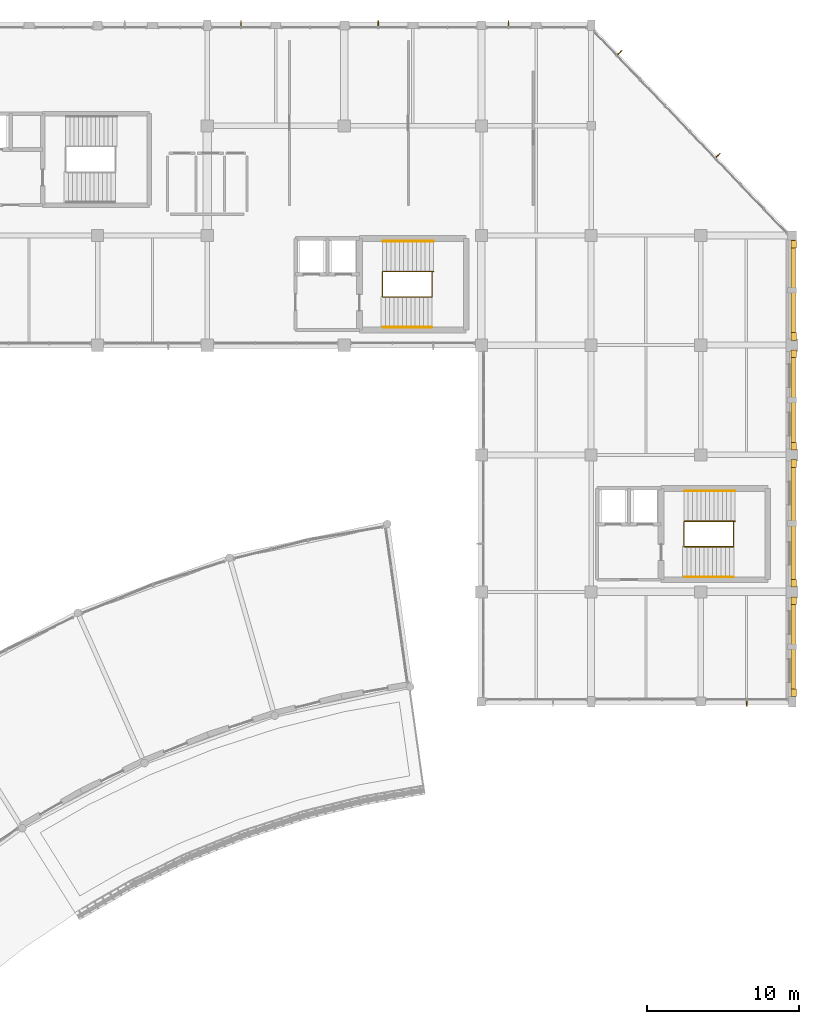
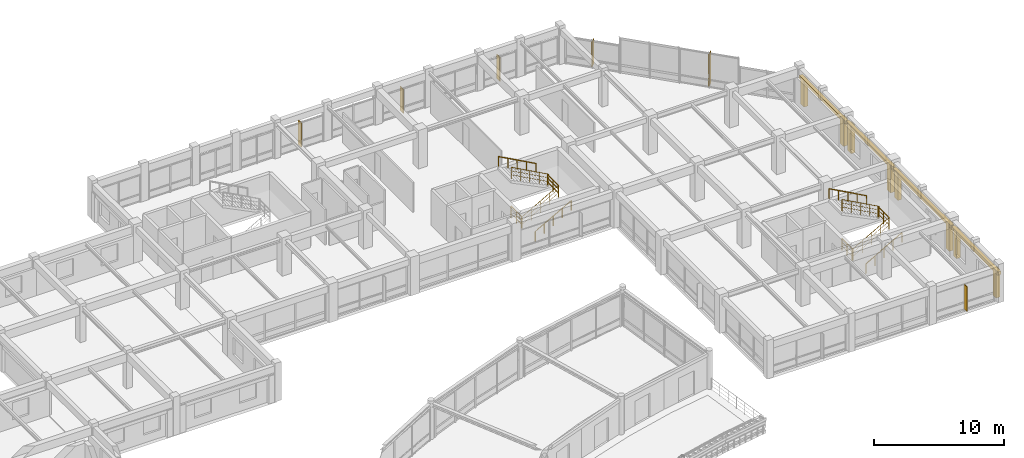
# One storey, part 74 of 74: 12 coverings, 12 railings, 6 shading devices.
"""IFC4 building model written with IfcOpenShell, lengths in metres."""

import ifcopenshell
import ifcopenshell.guid

model = None  # the IFC model being written
_history = None  # IfcOwnerHistory: only IFC2X3 demands one
_inside = {}  # id of a spatial element -> (the spatial element, [elements in it])
_under = {}  # id of a project, library or spatial element -> (it, [spatial elements below it])
_declared = {}  # id of a project -> (the project, [libraries it declares])
_typed = {}  # id of a type object -> (the type object, [elements of that type])
_made_of = {}  # id of a material, layer set ... -> (it, [elements and type objects made of it])


def new_model(schema):
    """Start an empty IFC model of exactly this schema.

    Asked for "IFC4X3", IfcOpenShell would pick the latest addendum, in which some entities
    have other attributes; the version numbers below select the first issue.
    IFC2X3 requires an IfcOwnerHistory on every rooted entity: one is made here for all.
    """
    global model, _history
    if schema == "IFC4X3":
        model = ifcopenshell.file(schema_version=(4, 3, 0, 0))
    else:
        model = ifcopenshell.file(schema=schema)
    _inside.clear()
    _under.clear()
    _declared.clear()
    _typed.clear()
    _made_of.clear()
    _history = None
    if model.schema == "IFC2X3":
        org = make("IfcOrganization", Name="unknown")
        user = make(
            "IfcPersonAndOrganization",
            ThePerson=make("IfcPerson", FamilyName="unknown"),
            TheOrganization=org,
        )
        app = make(
            "IfcApplication",
            ApplicationDeveloper=org,
            Version="unknown",
            ApplicationFullName="unknown",
            ApplicationIdentifier="unknown",
        )
        _history = make(
            "IfcOwnerHistory",
            OwningUser=user,
            OwningApplication=app,
            ChangeAction="ADDED",
            CreationDate=0,
        )
    return model


def make(cls, **values):
    """One entity of the class cls with the attributes given. An attribute that is None is left unset."""
    return model.create_entity(
        cls, **{name: value for name, value in values.items() if value is not None}
    )


def rooted(cls, **values):
    """An entity with a GlobalId (a new one), such as an element, a storey or a relation."""
    return make(cls, GlobalId=ifcopenshell.guid.new(), OwnerHistory=_history, **values)


def si_unit(unit_type, name, prefix=None):
    """IfcSIUnit, for example si_unit("LENGTHUNIT", "METRE", prefix="MILLI")."""
    return make("IfcSIUnit", UnitType=unit_type, Prefix=prefix, Name=name)


def assignment(units):
    """IfcUnitAssignment: the units of a project."""
    return None if units is None else make("IfcUnitAssignment", Units=units)


def point(xyz):
    """IfcCartesianPoint."""
    return None if xyz is None else make("IfcCartesianPoint", Coordinates=xyz)


def direction(xyz):
    """IfcDirection."""
    return None if xyz is None else make("IfcDirection", DirectionRatios=xyz)


def frame(location, z_axis=None, x_axis=None):
    """IfcAxis2Placement3D, a coordinate frame: its origin and axes. An axis left out is left unset."""
    return make(
        "IfcAxis2Placement3D",
        Location=point(location),
        Axis=direction(z_axis),
        RefDirection=direction(x_axis),
    )


def frame_2d(location, x_axis=None):
    """IfcAxis2Placement2D, a coordinate frame in the plane: its origin and x axis."""
    return make(
        "IfcAxis2Placement2D", Location=point(location), RefDirection=direction(x_axis)
    )


def origin():
    """The frame at (0, 0, 0) with its axes left unset."""
    return frame((0.0, 0.0, 0.0))


def origin_2d():
    """The frame at (0, 0) in the plane with its x axis left unset."""
    return frame_2d((0.0, 0.0))


def place(relative_to, where):
    """IfcLocalPlacement: puts the frame where relative to a parent placement (None: the world)."""
    return make(
        "IfcLocalPlacement", PlacementRelTo=relative_to, RelativePlacement=where
    )


def context(
    kind, dimensions, precision=None, world=None, true_north=None, identifier=None
):
    """IfcGeometricRepresentationContext, for example the 3D "Model" context."""
    return make(
        "IfcGeometricRepresentationContext",
        ContextIdentifier=identifier,
        ContextType=kind,
        CoordinateSpaceDimension=dimensions,
        Precision=precision,
        WorldCoordinateSystem=world,
        TrueNorth=true_north,
    )


def subcontext(parent, identifier, kind, view, scale=None):
    """IfcGeometricRepresentationSubContext, for example "Body" below "Model"."""
    return make(
        "IfcGeometricRepresentationSubContext",
        ContextIdentifier=identifier,
        ContextType=kind,
        ParentContext=parent,
        TargetScale=scale,
        TargetView=view,
    )


def project(units=None, contexts=None):
    """IfcProject with its units and contexts."""
    return rooted(
        "IfcProject",
        Name="project",
        RepresentationContexts=contexts,
        UnitsInContext=assignment(units),
    )


def spatial(cls, under=None, at=None, **own):
    """A site, building, storey or space (cls), placed at a placement, below another one or the project."""
    s = rooted(cls, ObjectPlacement=at, **own)
    if under is not None:
        _under.setdefault(under.id(), (under, []))[1].append(s)
    return s


def profile(cls, at=None, kind="AREA", **sizes):
    """A parametric profile (cls). Its sizes go by their IFC names, for example OverallWidth=200.0."""
    return make(cls, ProfileType=kind, Position=at, **sizes)


def rectangle(**sizes):
    """IfcRectangleProfileDef."""
    return profile("IfcRectangleProfileDef", **sizes)


def circle(**sizes):
    """IfcCircleProfileDef."""
    return profile("IfcCircleProfileDef", **sizes)


def extrude(swept, where, along, depth):
    """IfcExtrudedAreaSolid: the profile swept, set in the frame where, extruded along a direction by depth."""
    return make(
        "IfcExtrudedAreaSolid",
        SweptArea=swept,
        Position=where,
        ExtrudedDirection=direction(along),
        Depth=depth,
    )


def shape(context_of_items, identifier, shape_type, items):
    """IfcShapeRepresentation: the items that make up one representation, for example the "Body"."""
    return make(
        "IfcShapeRepresentation",
        ContextOfItems=context_of_items,
        RepresentationIdentifier=identifier,
        RepresentationType=shape_type,
        Items=items,
    )


def material(Name=None, Category=None):
    """IfcMaterial."""
    return make("IfcMaterial", Name=Name, Category=Category)


def layer(
    of_material, thickness, ventilated=None, Name=None, Category=None, Priority=None
):
    """IfcMaterialLayer: one layer of a wall or slab, of a material (None: an air gap)."""
    return make(
        "IfcMaterialLayer",
        Material=of_material,
        LayerThickness=thickness,
        IsVentilated=ventilated,
        Name=Name,
        Category=Category,
        Priority=Priority,
    )


def layer_set(layers, Name=None):
    """IfcMaterialLayerSet."""
    return make("IfcMaterialLayerSet", MaterialLayers=layers, LayerSetName=Name)


def made_of(thing, what):
    """Note that an element or type object is made of a material, layer set ...; save() writes the relation."""
    if what is not None:
        _made_of.setdefault(what.id(), (what, []))[1].append(thing)
    return thing


def type_object(cls, material=None, **own):
    """A type object (cls), such as IfcWallType, which elements share."""
    return made_of(rooted(cls, **own), material)


def element(
    cls,
    number,
    at=None,
    inside=None,
    cuts=None,
    type_object=None,
    material=None,
    context=None,
    identifier="Body",
    shape_type=None,
    held_by="IfcProductDefinitionShape",
    body=None,
    shapes=None,
    **own,
):
    """One element of the class cls, such as IfcWall. Its Tag is "e" and its number.

    at: its placement. inside: the storey or other place that contains it. cuts: it is an
    opening in that element (IfcRelVoidsElement). A single representation is given by context,
    identifier, shape_type and body (its items); several are given by shapes. held_by: the class
    of the entity that holds the representations. save() writes the other relations.
    """
    e = rooted(cls, Tag="e%d" % number, ObjectPlacement=at, **own)
    if body is not None:
        shapes = [shape(context, identifier, shape_type, body)]
    if shapes is not None:
        e.Representation = make(held_by, Representations=shapes)
    if inside is not None:
        _inside.setdefault(inside.id(), (inside, []))[1].append(e)
    if cuts is not None:
        rooted(
            "IfcRelVoidsElement", RelatingBuildingElement=cuts, RelatedOpeningElement=e
        )
    if type_object is not None:
        _typed.setdefault(type_object.id(), (type_object, []))[1].append(e)
    return made_of(e, material)


def aggregate(whole, parts):
    """IfcRelAggregates: a whole, such as a stair, and the parts it consists of."""
    return rooted("IfcRelAggregates", RelatingObject=whole, RelatedObjects=parts)


def save(model, path):
    """Write the relations noted so far, then the file.

    IfcRelAggregates (storeys below a building ...), IfcRelContainedInSpatialStructure (elements
    in a storey), IfcRelDefinesByType, IfcRelAssociatesMaterial and IfcRelDeclares: one each for
    every whole, place, type object, material and project.
    """
    for whole, parts in _under.values():
        aggregate(whole, parts)
    for where, things in _inside.values():
        rooted(
            "IfcRelContainedInSpatialStructure",
            RelatedElements=things,
            RelatingStructure=where,
        )
    for kind, things in _typed.values():
        rooted("IfcRelDefinesByType", RelatedObjects=things, RelatingType=kind)
    for what, things in _made_of.values():
        rooted("IfcRelAssociatesMaterial", RelatedObjects=things, RelatingMaterial=what)
    for by, libraries in _declared.values():
        rooted("IfcRelDeclares", RelatingContext=by, RelatedDefinitions=libraries)
    model.write(path)


model = new_model("IFC4")

# Units and contexts
model_context = context("Model", 3, precision=1e-05, world=origin(), true_north=direction((0.0, 1.0)))
body_context = subcontext(model_context, "Body", "Model", "MODEL_VIEW")
ifc_project = project(units=[si_unit("LENGTHUNIT", "METRE"), si_unit("AREAUNIT", "SQUARE_METRE"), si_unit("VOLUMEUNIT", "CUBIC_METRE"), si_unit("PLANEANGLEUNIT", "RADIAN"), si_unit("MASSUNIT", "GRAM", prefix="KILO")], contexts=[model_context])

# Site, building, storey
site_placement = place(None, origin())
site = spatial("IfcSite", under=ifc_project, at=site_placement, CompositionType="ELEMENT")
building_placement = place(site_placement, origin())
building = spatial("IfcBuilding", under=site, at=building_placement, Name="Clarverna Civic Hall", CompositionType="ELEMENT")
storey_placement = place(building_placement, frame((0.0, 0.0, 9.60009765625)))
storey = spatial("IfcBuildingStorey", under=building, at=storey_placement, Name="L02", CompositionType="ELEMENT", Elevation=9.60009765625)

# Coverings
ifc_material_1 = material(Name="Montjuic Buff Limestone Ashlar Cladding", Category="masonry")
ifc_layer_1 = layer(ifc_material_1, 0.070068359375)
ifc_layer_set_1 = layer_set([ifc_layer_1], Name="Montjuic Buff Limestone Ashlar Cladding")
covering_type = type_object("IfcCoveringType", Name="CV-CL2", PredefinedType="CLADDING", material=ifc_layer_set_1)
covering_1_placement = place(storey_placement, frame((168.080078125, 102.139892578125, 2.239990234375), z_axis=(0.0, 0.0, 1.0), x_axis=(0.0, -1.0, 0.0)))
element("IfcCovering", 1, at=covering_1_placement, inside=storey, type_object=covering_type, Name="CV-CL2-458", PredefinedType="CLADDING", context=body_context, shape_type="SweptSolid", body=[
    extrude(rectangle(XDim=7.079833984375, YDim=0.280029296875, at=frame_2d((3.5400390625, 0.0))), origin(), (0.0, 0.0, 1.0), 0.2998046875),
])
for number, where, z_axis, x_axis, name in (
    (2, (168.110107421875, 101.8798828125, 0.0), (0.0, 0.0, 1.0), (0.0, -1.0, 0.0), "CV-CL2-459"),
    (3, (168.110107421875, 95.820068359375, 0.0), (0.0, 0.0, 1.0), (0.0, -1.0, 0.0), "CV-CL2-460"),
):
    element("IfcCovering", number, at=place(storey_placement, frame(where, z_axis=z_axis, x_axis=x_axis)), inside=storey, type_object=covering_type, Name=name, PredefinedType="CLADDING", context=body_context, shape_type="SweptSolid", body=[
        extrude(rectangle(XDim=0.5, YDim=0.340087890625, at=frame_2d((0.25, 0.0))), origin(), (0.0, 0.0, 1.0), 2.52001953125),
    ])
covering_2_placement = place(storey_placement, frame((168.080078125, 94.93994140625, 2.33984375), z_axis=(0.0, 0.0, 1.0), x_axis=(0.0, -1.0, 0.0)))
element("IfcCovering", 4, at=covering_2_placement, inside=storey, type_object=covering_type, Name="CV-CL2-461", PredefinedType="CLADDING", context=body_context, shape_type="SweptSolid", body=[
    extrude(rectangle(XDim=7.079833984375, YDim=0.280029296875, at=frame_2d((3.5400390625, 0.0))), origin(), (0.0, 0.0, 1.0), 0.300048828125),
])
for number, where, z_axis, x_axis, name in (
    (5, (168.110107421875, 94.679931640625, 0.0), (0.0, 0.0, 1.0), (0.0, -1.0, 0.0), "CV-CL2-462"),
    (6, (168.110107421875, 88.6201171875, 0.0), (0.0, 0.0, 1.0), (0.0, -1.0, 0.0), "CV-CL2-463"),
):
    element("IfcCovering", number, at=place(storey_placement, frame(where, z_axis=z_axis, x_axis=x_axis)), inside=storey, type_object=covering_type, Name=name, PredefinedType="CLADDING", context=body_context, shape_type="SweptSolid", body=[
        extrude(rectangle(XDim=0.5, YDim=0.340087890625, at=frame_2d((0.25, 0.0))), origin(), (0.0, 0.0, 1.0), 2.619873046875),
    ])
covering_3_placement = place(storey_placement, frame((168.080078125, 87.739990234375, 2.289794921875), z_axis=(0.0, 0.0, 1.0), x_axis=(0.0, -1.0, 0.0)))
element("IfcCovering", 7, at=covering_3_placement, inside=storey, type_object=covering_type, Name="CV-CL2-464", PredefinedType="CLADDING", context=body_context, shape_type="SweptSolid", body=[
    extrude(rectangle(XDim=8.8798828125, YDim=0.280029296875, at=frame_2d((4.43994140625, 0.0))), origin(), (0.0, 0.0, 1.0), 0.300048828125),
])
for number, where, z_axis, x_axis, name in (
    (8, (168.110107421875, 87.47998046875, 0.0), (0.0, 0.0, 1.0), (0.0, -1.0, 0.0), "CV-CL2-465"),
    (9, (168.110107421875, 79.6201171875, 0.0), (0.0, 0.0, 1.0), (0.0, -1.0, 0.0), "CV-CL2-466"),
):
    element("IfcCovering", number, at=place(storey_placement, frame(where, z_axis=z_axis, x_axis=x_axis)), inside=storey, type_object=covering_type, Name=name, PredefinedType="CLADDING", context=body_context, shape_type="SweptSolid", body=[
        extrude(rectangle(XDim=0.5, YDim=0.340087890625, at=frame_2d((0.25, 0.0))), origin(), (0.0, 0.0, 1.0), 2.56982421875),
    ])
covering_4_placement = place(storey_placement, frame((168.080078125, 78.739990234375, 2.289794921875), z_axis=(0.0, 0.0, 1.0), x_axis=(0.0, -1.0, 0.0)))
element("IfcCovering", 10, at=covering_4_placement, inside=storey, type_object=covering_type, Name="CV-CL2-467", PredefinedType="CLADDING", context=body_context, shape_type="SweptSolid", body=[
    extrude(rectangle(XDim=7.080078125, YDim=0.280029296875, at=frame_2d((3.5400390625, 0.0))), origin(), (0.0, 0.0, 1.0), 0.300048828125),
])
for number, where, z_axis, x_axis, name in (
    (11, (168.110107421875, 78.47998046875, 0.0), (0.0, 0.0, 1.0), (0.0, -1.0, 0.0), "CV-CL2-468"),
    (12, (168.110107421875, 72.419921875, 0.0), (0.0, 0.0, 1.0), (0.0, -1.0, 0.0), "CV-CL2-469"),
):
    element("IfcCovering", number, at=place(storey_placement, frame(where, z_axis=z_axis, x_axis=x_axis)), inside=storey, type_object=covering_type, Name=name, PredefinedType="CLADDING", context=body_context, shape_type="SweptSolid", body=[
        extrude(rectangle(XDim=0.5, YDim=0.340087890625, at=frame_2d((0.25, 0.0))), origin(), (0.0, 0.0, 1.0), 2.56982421875),
    ])

# Railings
ifc_material_2 = material(Name="Anodised Bronze Architectural Balustrade")
railing_type_1 = type_object("IfcRailingType", Name="GR-02", PredefinedType="BALUSTRADE", material=ifc_material_2)
railing_1_placement = place(storey_placement, frame((141.14990234375, 98.159912109375, 0.0)))
element("IfcRailing", 13, at=railing_1_placement, inside=storey, type_object=railing_type_1, Name="GR-02-015", PredefinedType="BALUSTRADE", context=body_context, shape_type="SweptSolid", body=[
    extrude(circle(Radius=0.02392578125, at=origin_2d()), frame((0.0, 0.0, 1.09619140625), z_axis=(0.87193006163, 0.0, 0.489630439849), x_axis=(0.0, 1.0, 0.0)), (0.0, 0.0, 1.0), 3.67578125),
    extrude(circle(Radius=0.011962890625, at=origin_2d()), frame((0.0, 0.0, 0.39208984375), z_axis=(0.87193006163, 0.0, 0.489630439849), x_axis=(0.0, 1.0, 0.0)), (0.0, 0.0, 1.0), 3.67578125),
    extrude(circle(Radius=0.011962890625, at=origin_2d()), frame((0.0, 0.0, 0.76171875), z_axis=(0.87193006163, 0.0, 0.489630439849), x_axis=(0.0, 1.0, 0.0)), (0.0, 0.0, 1.0), 3.67578125),
    extrude(circle(Radius=0.02099609375, at=origin_2d()), origin(), (0.0, 0.0, 1.0), 1.072021484375),
    extrude(circle(Radius=0.02099609375, at=origin_2d()), frame((0.80126953125, 0.0, 0.449951171875)), (0.0, 0.0, 1.0), 1.072021484375),
    extrude(circle(Radius=0.02099609375, at=origin_2d()), frame((1.6025390625, 0.0, 0.89990234375)), (0.0, 0.0, 1.0), 1.072021484375),
    extrude(circle(Radius=0.02099609375, at=origin_2d()), frame((2.40380859375, 0.0, 1.349853515625)), (0.0, 0.0, 1.0), 1.072021484375),
    extrude(circle(Radius=0.02099609375, at=origin_2d()), frame((3.205078125, 0.0, 1.7998046875)), (0.0, 0.0, 1.0), 1.072021484375),
])
railing_2_placement = place(storey_placement, frame((144.35498046875, 98.159912109375, 1.7998046875)))
element("IfcRailing", 14, at=railing_2_placement, inside=storey, type_object=railing_type_1, Name="GR-02-016", PredefinedType="BALUSTRADE", context=body_context, shape_type="SweptSolid", body=[
    extrude(circle(Radius=0.02392578125, at=origin_2d()), frame((0.0, 0.0, 1.09619140625), z_axis=(0.0, 1.0, 0.0), x_axis=(-1.0, 0.0, 0.0)), (0.0, 0.0, 1.0), 1.68017578125),
    extrude(circle(Radius=0.011962890625, at=origin_2d()), frame((0.0, 0.0, 0.39208984375), z_axis=(0.0, 1.0, 0.0), x_axis=(-1.0, 0.0, 0.0)), (0.0, 0.0, 1.0), 1.68017578125),
    extrude(circle(Radius=0.011962890625, at=origin_2d()), frame((0.0, 0.0, 0.76171875), z_axis=(0.0, 1.0, 0.0), x_axis=(-1.0, 0.0, 0.0)), (0.0, 0.0, 1.0), 1.68017578125),
    extrude(circle(Radius=0.02099609375, at=origin_2d()), origin(), (0.0, 0.0, 1.0), 1.072021484375),
    extrude(circle(Radius=0.02099609375, at=origin_2d()), frame((0.0, 0.840087890625, 0.0)), (0.0, 0.0, 1.0), 1.072021484375),
    extrude(circle(Radius=0.02099609375, at=origin_2d()), frame((0.0, 1.68017578125, 0.0)), (0.0, 0.0, 1.0), 1.072021484375),
])
railing_3_placement = place(storey_placement, frame((144.445068359375, 99.840087890625, 1.7998046875)))
element("IfcRailing", 15, at=railing_3_placement, inside=storey, type_object=railing_type_1, Name="GR-02-017", PredefinedType="BALUSTRADE", context=body_context, shape_type="SweptSolid", body=[
    extrude(circle(Radius=0.02392578125, at=origin_2d()), frame((0.0, 0.0, 1.09619140625), z_axis=(-0.877594727342, 0.0, 0.479403269222), x_axis=(0.0, -1.0, 0.0)), (0.0, 0.0, 1.0), 3.7548828125),
    extrude(circle(Radius=0.011962890625, at=origin_2d()), frame((0.0, 0.0, 0.39208984375), z_axis=(-0.877594727342, 0.0, 0.479403269222), x_axis=(0.0, -1.0, 0.0)), (0.0, 0.0, 1.0), 3.7548828125),
    extrude(circle(Radius=0.011962890625, at=origin_2d()), frame((0.0, 0.0, 0.76171875), z_axis=(-0.877594727342, 0.0, 0.479403269222), x_axis=(0.0, -1.0, 0.0)), (0.0, 0.0, 1.0), 3.7548828125),
    extrude(circle(Radius=0.02099609375, at=origin_2d()), origin(), (0.0, 0.0, 1.0), 1.072021484375),
    extrude(circle(Radius=0.02099609375, at=origin_2d()), frame((-0.82373046875, 0.0, 0.449951171875)), (0.0, 0.0, 1.0), 1.072021484375),
    extrude(circle(Radius=0.02099609375, at=origin_2d()), frame((-1.6474609375, 0.0, 0.89990234375)), (0.0, 0.0, 1.0), 1.072021484375),
    extrude(circle(Radius=0.02099609375, at=origin_2d()), frame((-2.471435546875, 0.0, 1.35009765625)), (0.0, 0.0, 1.0), 1.072021484375),
    extrude(circle(Radius=0.02099609375, at=origin_2d()), frame((-3.295166015625, 0.0, 1.800048828125)), (0.0, 0.0, 1.0), 1.072021484375),
])
railing_4_placement = place(storey_placement, frame((141.110107421875, 98.199951171875, 0.0)))
element("IfcRailing", 16, at=railing_4_placement, inside=storey, type_object=railing_type_1, Name="GR-02-018", PredefinedType="BALUSTRADE", context=body_context, shape_type="SweptSolid", body=[
    extrude(circle(Radius=0.02392578125, at=origin_2d()), frame((0.0, 0.0, 1.09619140625), z_axis=(0.0, 1.0, 0.0), x_axis=(-1.0, 0.0, 0.0)), (0.0, 0.0, 1.0), 1.60009765625),
    extrude(circle(Radius=0.011962890625, at=origin_2d()), frame((0.0, 0.0, 0.39208984375), z_axis=(0.0, 1.0, 0.0), x_axis=(-1.0, 0.0, 0.0)), (0.0, 0.0, 1.0), 1.60009765625),
    extrude(circle(Radius=0.011962890625, at=origin_2d()), frame((0.0, 0.0, 0.76171875), z_axis=(0.0, 1.0, 0.0), x_axis=(-1.0, 0.0, 0.0)), (0.0, 0.0, 1.0), 1.60009765625),
    extrude(circle(Radius=0.02099609375, at=origin_2d()), origin(), (0.0, 0.0, 1.0), 1.072021484375),
    extrude(circle(Radius=0.02099609375, at=origin_2d()), frame((0.0, 0.800048828125, 0.0)), (0.0, 0.0, 1.0), 1.072021484375),
    extrude(circle(Radius=0.02099609375, at=origin_2d()), frame((0.0, 1.60009765625, 0.0)), (0.0, 0.0, 1.0), 1.072021484375),
])
railing_5_placement = place(storey_placement, frame((160.949951171875, 81.760009765625, 0.0)))
element("IfcRailing", 17, at=railing_5_placement, inside=storey, type_object=railing_type_1, Name="GR-02-047", PredefinedType="BALUSTRADE", context=body_context, shape_type="SweptSolid", body=[
    extrude(circle(Radius=0.02392578125, at=origin_2d()), frame((0.0, 0.0, 1.09619140625), z_axis=(0.87193006163, 0.0, 0.489630439849), x_axis=(0.0, 1.0, 0.0)), (0.0, 0.0, 1.0), 3.67578125),
    extrude(circle(Radius=0.011962890625, at=origin_2d()), frame((0.0, 0.0, 0.39208984375), z_axis=(0.87193006163, 0.0, 0.489630439849), x_axis=(0.0, 1.0, 0.0)), (0.0, 0.0, 1.0), 3.67578125),
    extrude(circle(Radius=0.011962890625, at=origin_2d()), frame((0.0, 0.0, 0.76171875), z_axis=(0.87193006163, 0.0, 0.489630439849), x_axis=(0.0, 1.0, 0.0)), (0.0, 0.0, 1.0), 3.67578125),
    extrude(circle(Radius=0.02099609375, at=origin_2d()), origin(), (0.0, 0.0, 1.0), 1.072021484375),
    extrude(circle(Radius=0.02099609375, at=origin_2d()), frame((0.80126953125, 0.0, 0.449951171875)), (0.0, 0.0, 1.0), 1.072021484375),
    extrude(circle(Radius=0.02099609375, at=origin_2d()), frame((1.6025390625, 0.0, 0.89990234375)), (0.0, 0.0, 1.0), 1.072021484375),
    extrude(circle(Radius=0.02099609375, at=origin_2d()), frame((2.40380859375, 0.0, 1.349853515625)), (0.0, 0.0, 1.0), 1.072021484375),
    extrude(circle(Radius=0.02099609375, at=origin_2d()), frame((3.205078125, 0.0, 1.7998046875)), (0.0, 0.0, 1.0), 1.072021484375),
])
railing_6_placement = place(storey_placement, frame((164.155029296875, 81.760009765625, 1.7998046875)))
element("IfcRailing", 18, at=railing_6_placement, inside=storey, type_object=railing_type_1, Name="GR-02-048", PredefinedType="BALUSTRADE", context=body_context, shape_type="SweptSolid", body=[
    extrude(circle(Radius=0.02392578125, at=origin_2d()), frame((0.0, 0.0, 1.09619140625), z_axis=(0.0, 1.0, 0.0), x_axis=(-1.0, 0.0, 0.0)), (0.0, 0.0, 1.0), 1.679931640625),
    extrude(circle(Radius=0.011962890625, at=origin_2d()), frame((0.0, 0.0, 0.39208984375), z_axis=(0.0, 1.0, 0.0), x_axis=(-1.0, 0.0, 0.0)), (0.0, 0.0, 1.0), 1.679931640625),
    extrude(circle(Radius=0.011962890625, at=origin_2d()), frame((0.0, 0.0, 0.76171875), z_axis=(0.0, 1.0, 0.0), x_axis=(-1.0, 0.0, 0.0)), (0.0, 0.0, 1.0), 1.679931640625),
    extrude(circle(Radius=0.02099609375, at=origin_2d()), origin(), (0.0, 0.0, 1.0), 1.072021484375),
    extrude(circle(Radius=0.02099609375, at=origin_2d()), frame((0.0, 0.83984375, 0.0)), (0.0, 0.0, 1.0), 1.072021484375),
    extrude(circle(Radius=0.02099609375, at=origin_2d()), frame((0.0, 1.679931640625, 0.0)), (0.0, 0.0, 1.0), 1.072021484375),
])
railing_7_placement = place(storey_placement, frame((164.2451171875, 83.43994140625, 1.7998046875)))
element("IfcRailing", 19, at=railing_7_placement, inside=storey, type_object=railing_type_1, Name="GR-02-049", PredefinedType="BALUSTRADE", context=body_context, shape_type="SweptSolid", body=[
    extrude(circle(Radius=0.02392578125, at=origin_2d()), frame((0.0, 0.0, 1.09619140625), z_axis=(-0.877594727342, 0.0, 0.479403269222), x_axis=(0.0, -1.0, 0.0)), (0.0, 0.0, 1.0), 3.7548828125),
    extrude(circle(Radius=0.011962890625, at=origin_2d()), frame((0.0, 0.0, 0.39208984375), z_axis=(-0.877594727342, 0.0, 0.479403269222), x_axis=(0.0, -1.0, 0.0)), (0.0, 0.0, 1.0), 3.7548828125),
    extrude(circle(Radius=0.011962890625, at=origin_2d()), frame((0.0, 0.0, 0.76171875), z_axis=(-0.877594727342, 0.0, 0.479403269222), x_axis=(0.0, -1.0, 0.0)), (0.0, 0.0, 1.0), 3.7548828125),
    extrude(circle(Radius=0.02099609375, at=origin_2d()), origin(), (0.0, 0.0, 1.0), 1.072021484375),
    extrude(circle(Radius=0.02099609375, at=origin_2d()), frame((-0.82373046875, 0.0, 0.449951171875)), (0.0, 0.0, 1.0), 1.072021484375),
    extrude(circle(Radius=0.02099609375, at=origin_2d()), frame((-1.6474609375, 0.0, 0.89990234375)), (0.0, 0.0, 1.0), 1.072021484375),
    extrude(circle(Radius=0.02099609375, at=origin_2d()), frame((-2.471435546875, 0.0, 1.35009765625)), (0.0, 0.0, 1.0), 1.072021484375),
    extrude(circle(Radius=0.02099609375, at=origin_2d()), frame((-3.295166015625, 0.0, 1.800048828125)), (0.0, 0.0, 1.0), 1.072021484375),
])
railing_8_placement = place(storey_placement, frame((160.909912109375, 81.800048828125, 0.0)))
element("IfcRailing", 20, at=railing_8_placement, inside=storey, type_object=railing_type_1, Name="GR-02-050", PredefinedType="BALUSTRADE", context=body_context, shape_type="SweptSolid", body=[
    extrude(circle(Radius=0.02392578125, at=origin_2d()), frame((0.0, 0.0, 1.09619140625), z_axis=(0.0, 1.0, 0.0), x_axis=(-1.0, 0.0, 0.0)), (0.0, 0.0, 1.0), 1.599853515625),
    extrude(circle(Radius=0.011962890625, at=origin_2d()), frame((0.0, 0.0, 0.39208984375), z_axis=(0.0, 1.0, 0.0), x_axis=(-1.0, 0.0, 0.0)), (0.0, 0.0, 1.0), 1.599853515625),
    extrude(circle(Radius=0.011962890625, at=origin_2d()), frame((0.0, 0.0, 0.76171875), z_axis=(0.0, 1.0, 0.0), x_axis=(-1.0, 0.0, 0.0)), (0.0, 0.0, 1.0), 1.599853515625),
    extrude(circle(Radius=0.02099609375, at=origin_2d()), origin(), (0.0, 0.0, 1.0), 1.072021484375),
    extrude(circle(Radius=0.02099609375, at=origin_2d()), frame((0.0, 0.7998046875, 0.0)), (0.0, 0.0, 1.0), 1.072021484375),
    extrude(circle(Radius=0.02099609375, at=origin_2d()), frame((0.0, 1.599853515625, 0.0)), (0.0, 0.0, 1.0), 1.072021484375),
])
ifc_material_3 = material(Name="Anodised Bronze Continuous Handrail")
railing_type_2 = type_object("IfcRailingType", Name="HR-01", PredefinedType="HANDRAIL", material=ifc_material_3)
railing_9_placement = place(storey_placement, frame((141.14990234375, 96.179931640625, 0.0)))
element("IfcRailing", 21, at=railing_9_placement, inside=storey, type_object=railing_type_2, Name="HR-01-007", PredefinedType="HANDRAIL", context=body_context, shape_type="SweptSolid", body=[
    extrude(circle(Radius=0.02392578125, at=origin_2d()), frame((0.0, 0.0, 0.89599609375), z_axis=(0.870953600603, 0.0, 0.491365266982), x_axis=(0.0, 1.0, 0.0)), (0.0, 0.0, 1.0), 3.662841796875),
    extrude(circle(Radius=0.02099609375, at=origin_2d()), origin(), (0.0, 0.0, 1.0), 0.871826171875),
    extrude(circle(Radius=0.02099609375, at=origin_2d()), frame((0.797607421875, 0.0, 0.449951171875)), (0.0, 0.0, 1.0), 0.871826171875),
    extrude(circle(Radius=0.02099609375, at=origin_2d()), frame((1.59521484375, 0.0, 0.89990234375)), (0.0, 0.0, 1.0), 0.871826171875),
    extrude(circle(Radius=0.02099609375, at=origin_2d()), frame((2.392578125, 0.0, 1.349853515625)), (0.0, 0.0, 1.0), 0.871826171875),
    extrude(circle(Radius=0.02099609375, at=origin_2d()), frame((3.190185546875, 0.0, 1.7998046875)), (0.0, 0.0, 1.0), 0.871826171875),
])
railing_10_placement = place(storey_placement, frame((144.4599609375, 101.820068359375, 1.7998046875)))
element("IfcRailing", 22, at=railing_10_placement, inside=storey, type_object=railing_type_2, Name="HR-01-008", PredefinedType="HANDRAIL", context=body_context, shape_type="SweptSolid", body=[
    extrude(circle(Radius=0.02392578125, at=origin_2d()), frame((0.0, 0.0, 0.89599609375), z_axis=(-0.878501555178, 0.0, 0.477739487116), x_axis=(0.0, -1.0, 0.0)), (0.0, 0.0, 1.0), 3.767822265625),
    extrude(circle(Radius=0.02099609375, at=origin_2d()), origin(), (0.0, 0.0, 1.0), 0.871826171875),
    extrude(circle(Radius=0.02099609375, at=origin_2d()), frame((-0.82763671875, 0.0, 0.449951171875)), (0.0, 0.0, 1.0), 0.871826171875),
    extrude(circle(Radius=0.02099609375, at=origin_2d()), frame((-1.655029296875, 0.0, 0.89990234375)), (0.0, 0.0, 1.0), 0.871826171875),
    extrude(circle(Radius=0.02099609375, at=origin_2d()), frame((-2.482421875, 0.0, 1.35009765625)), (0.0, 0.0, 1.0), 0.871826171875),
    extrude(circle(Radius=0.02099609375, at=origin_2d()), frame((-3.31005859375, 0.0, 1.800048828125)), (0.0, 0.0, 1.0), 0.871826171875),
])
railing_11_placement = place(storey_placement, frame((160.949951171875, 79.780029296875, 0.0)))
element("IfcRailing", 23, at=railing_11_placement, inside=storey, type_object=railing_type_2, Name="HR-01-023", PredefinedType="HANDRAIL", context=body_context, shape_type="SweptSolid", body=[
    extrude(circle(Radius=0.02392578125, at=origin_2d()), frame((0.0, 0.0, 0.89599609375), z_axis=(0.870937506535, 0.0, 0.491393792911), x_axis=(0.0, 1.0, 0.0)), (0.0, 0.0, 1.0), 3.66259765625),
    extrude(circle(Radius=0.02099609375, at=origin_2d()), origin(), (0.0, 0.0, 1.0), 0.871826171875),
    extrude(circle(Radius=0.02099609375, at=origin_2d()), frame((0.79736328125, 0.0, 0.449951171875)), (0.0, 0.0, 1.0), 0.871826171875),
    extrude(circle(Radius=0.02099609375, at=origin_2d()), frame((1.594970703125, 0.0, 0.89990234375)), (0.0, 0.0, 1.0), 0.871826171875),
    extrude(circle(Radius=0.02099609375, at=origin_2d()), frame((2.392578125, 0.0, 1.349853515625)), (0.0, 0.0, 1.0), 0.871826171875),
    extrude(circle(Radius=0.02099609375, at=origin_2d()), frame((3.18994140625, 0.0, 1.7998046875)), (0.0, 0.0, 1.0), 0.871826171875),
])
railing_12_placement = place(storey_placement, frame((164.260009765625, 85.419921875, 1.7998046875)))
element("IfcRailing", 24, at=railing_12_placement, inside=storey, type_object=railing_type_2, Name="HR-01-024", PredefinedType="HANDRAIL", context=body_context, shape_type="SweptSolid", body=[
    extrude(circle(Radius=0.02392578125, at=origin_2d()), frame((0.0, 0.0, 0.89599609375), z_axis=(-0.878501555178, 0.0, 0.477739487116), x_axis=(0.0, -1.0, 0.0)), (0.0, 0.0, 1.0), 3.767822265625),
    extrude(circle(Radius=0.02099609375, at=origin_2d()), origin(), (0.0, 0.0, 1.0), 0.871826171875),
    extrude(circle(Radius=0.02099609375, at=origin_2d()), frame((-0.82763671875, 0.0, 0.449951171875)), (0.0, 0.0, 1.0), 0.871826171875),
    extrude(circle(Radius=0.02099609375, at=origin_2d()), frame((-1.655029296875, 0.0, 0.89990234375)), (0.0, 0.0, 1.0), 0.871826171875),
    extrude(circle(Radius=0.02099609375, at=origin_2d()), frame((-2.482421875, 0.0, 1.35009765625)), (0.0, 0.0, 1.0), 0.871826171875),
    extrude(circle(Radius=0.02099609375, at=origin_2d()), frame((-3.31005859375, 0.0, 1.800048828125)), (0.0, 0.0, 1.0), 0.871826171875),
])

# Shading devices
ifc_material_4 = material(Name="Anodised Bronze Architectural Solar Fin", Category="aluminium")
ifc_layer_2 = layer(ifc_material_4, 0.054931640625)
ifc_layer_set_2 = layer_set([ifc_layer_2], Name="Anodised Bronze Architectural Solar Fin")
shading_device_type = type_object("IfcShadingDeviceType", Name="SD-FN1", PredefinedType="USERDEFINED", material=ifc_layer_set_2)
for number, where, z_axis, x_axis, name in (
    (25, (131.8125, 115.830078125, 0.14990234375), (0.0, 0.0, 1.0), (0.0, 1.0, 0.0), "SD-FN1-017"),
    (26, (140.83740234375, 115.830078125, 0.14990234375), (0.0, 0.0, 1.0), (0.0, 1.0, 0.0), "SD-FN1-018"),
    (27, (149.375, 115.830078125, 0.14990234375), (0.0, 0.0, 1.0), (0.0, 1.0, 0.0), "SD-FN1-019"),
):
    element("IfcShadingDevice", number, at=place(storey_placement, frame(where, z_axis=z_axis, x_axis=x_axis)), inside=storey, type_object=shading_device_type, Name=name, ObjectType="FIN", PredefinedType="USERDEFINED", context=body_context, shape_type="SweptSolid", body=[
        extrude(rectangle(XDim=0.47998046875, YDim=0.054931640625, at=frame_2d((0.239990234375, 0.0))), origin(), (0.0, 0.0, 1.0), 2.27001953125),
    ])
shading_device_1_placement = place(storey_placement, frame((156.46728515625, 114.010986328125, 0.14990234375), z_axis=(0.0, 0.0, 1.0), x_axis=(0.72269708108, 0.691164907239, 0.0)))
element("IfcShadingDevice", 28, at=shading_device_1_placement, inside=storey, type_object=shading_device_type, Name="SD-FN1-020", ObjectType="FIN", PredefinedType="USERDEFINED", context=body_context, shape_type="SweptSolid", body=[
    extrude(rectangle(XDim=0.47998046875, YDim=0.054931640625, at=frame_2d((0.239990234375, 0.0))), origin(), (0.0, 0.0, 1.0), 2.340087890625),
])
shading_device_2_placement = place(storey_placement, frame((162.927001953125, 107.257568359375, 0.14990234375), z_axis=(0.0, 0.0, 1.0), x_axis=(0.72269708108, 0.691164907239, 0.0)))
element("IfcShadingDevice", 29, at=shading_device_2_placement, inside=storey, type_object=shading_device_type, Name="SD-FN1-021", ObjectType="FIN", PredefinedType="USERDEFINED", context=body_context, shape_type="SweptSolid", body=[
    extrude(rectangle(XDim=0.47998046875, YDim=0.054931640625, at=frame_2d((0.239990234375, 0.0))), origin(), (0.0, 0.0, 1.0), 3.02001953125),
])
shading_device_3_placement = place(storey_placement, frame((165.02490234375, 71.77001953125, 0.14990234375), z_axis=(0.0, 0.0, 1.0), x_axis=(0.0, -1.0, 0.0)))
element("IfcShadingDevice", 30, at=shading_device_3_placement, inside=storey, type_object=shading_device_type, Name="SD-FN1-022", ObjectType="FIN", PredefinedType="USERDEFINED", context=body_context, shape_type="SweptSolid", body=[
    extrude(rectangle(XDim=0.47998046875, YDim=0.054931640625, at=frame_2d((0.239990234375, 0.0))), origin(), (0.0, 0.0, 1.0), 2.300048828125),
])

save(model, "model.ifc")
